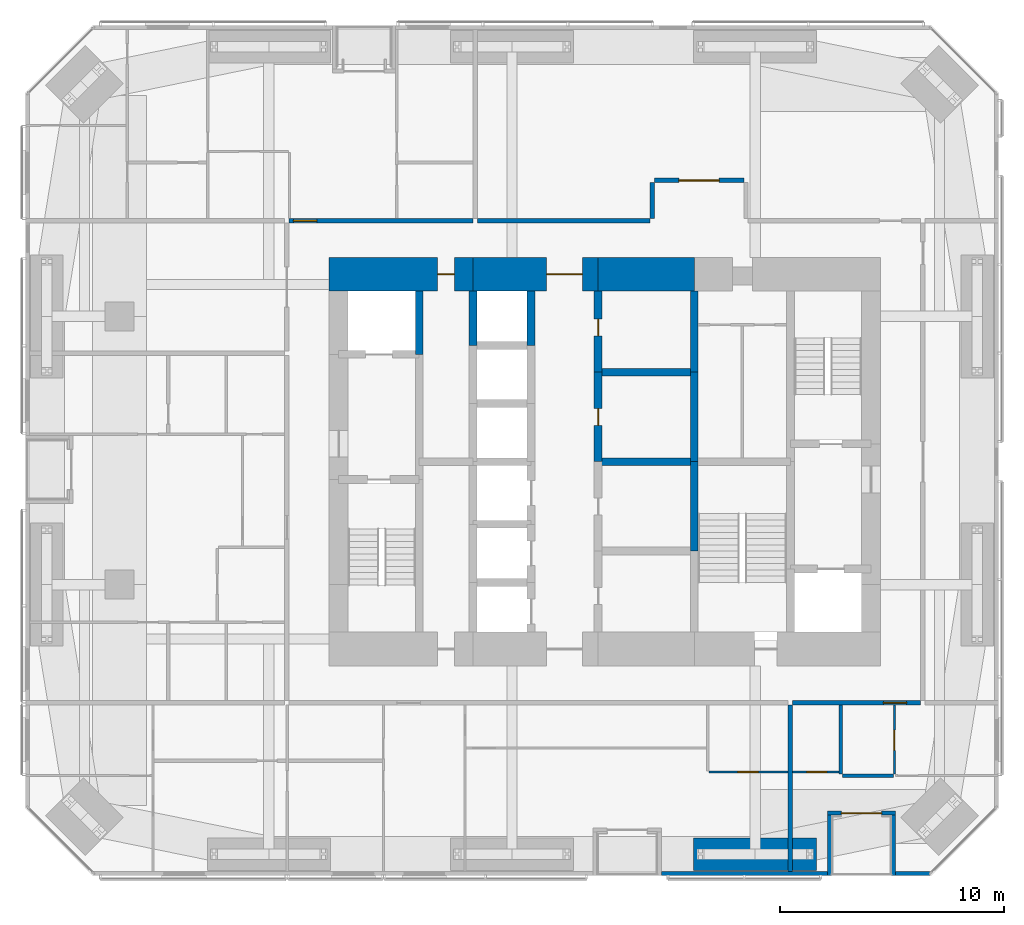
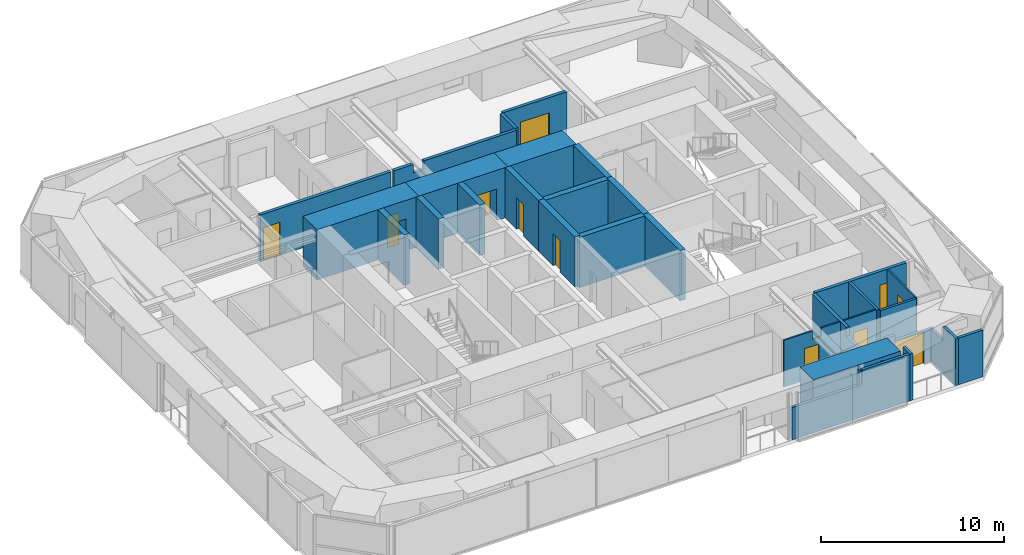
# One storey, part 20 of 24: 31 walls, 11 doors, 11 openings.
"""IFC4 building model written with IfcOpenShell, lengths in metres."""

from ifc_helpers import new_model, si_unit, direction, frame, frame_2d, origin, place, context, subcontext, project, spatial, polyline, rectangle, outline, extrude, material, layer, layer_set, constituent, constituent_set, type_object, element, fill, save


model = new_model("IFC4")

# Units and contexts
model_context = context("Model", 3, precision=1e-05, world=origin(), true_north=direction((0.0, 1.0)))
body_context = subcontext(model_context, "Body", "Model", "MODEL_VIEW")
ifc_project = project(units=[si_unit("LENGTHUNIT", "METRE"), si_unit("AREAUNIT", "SQUARE_METRE"), si_unit("VOLUMEUNIT", "CUBIC_METRE"), si_unit("PLANEANGLEUNIT", "RADIAN"), si_unit("MASSUNIT", "GRAM", prefix="KILO")], contexts=[model_context])

# Site, building, storey
site_placement = place(None, origin())
site = spatial("IfcSite", under=ifc_project, at=site_placement, CompositionType="ELEMENT")
building_placement = place(site_placement, origin())
building = spatial("IfcBuilding", under=site, at=building_placement, Name="Jalousie Tower", CompositionType="ELEMENT")
storey_placement = place(building_placement, frame((0.0, 0.0, 131.64990234375)))
storey = spatial("IfcBuildingStorey", under=building, at=storey_placement, Name="L36", CompositionType="ELEMENT", Elevation=131.64990234375)

# Walls
ifc_material_1 = material(Name="Concrete block ASTM C90", Category="concrete")
ifc_constituent_1 = constituent(ifc_material_1, Name="Body")
ifc_material_2 = material(Name="Render")
ifc_constituent_2 = constituent(ifc_material_2, Name="Finish")
ifc_constituent_set_1 = constituent_set(constituents=[ifc_constituent_1, ifc_constituent_2])
wall_type_1 = type_object("IfcWallType", Name="BATHROOM WALL 150", PredefinedType="PLUMBINGWALL", material=ifc_constituent_set_1)
wall_1_placement = place(storey_placement, frame((42.52490234375, 4.4638671875, 0.0), z_axis=(0.0, 0.0, 1.0), x_axis=(1.0, 0.0, 0.0)))
element("IfcWall", 1, at=wall_1_placement, inside=storey, type_object=wall_type_1, Name="Bathroom Wall 150 L36", PredefinedType="PLUMBINGWALL", context=body_context, shape_type="SweptSolid", body=[
    extrude(rectangle(XDim=2.275146484375, YDim=0.14990234375, at=frame_2d((1.1376953125, 0.0))), origin(), (0.0, 0.0, 1.0), 3.110107421875),
])
wall_2_placement = place(storey_placement, frame((42.449951171875, 4.538818359375, 0.0), z_axis=(0.0, 0.0, 1.0), x_axis=(0.0, 1.0, 0.0)))
element("IfcWall", 2, at=wall_2_placement, inside=storey, type_object=wall_type_1, Name="Bathroom Wall 150 L36", PredefinedType="PLUMBINGWALL", context=body_context, shape_type="SweptSolid", body=[
    extrude(rectangle(XDim=3.086181640625, YDim=0.14990234375, at=frame_2d((1.54296875, 0.0))), origin(), (0.0, 0.0, 1.0), 3.110107421875),
])
ifc_material_3 = material(Name="Concrete f'c 120 MPa", Category="concrete")
ifc_layer_1 = layer(ifc_material_3, 1.5)
ifc_layer_set_1 = layer_set([ifc_layer_1], Name="Concrete f'c 120 MPa")
wall_type_2 = type_object("IfcWallType", Name="CORE WALL 1500", PredefinedType="SHEAR", material=ifc_layer_set_1)
wall_3_placement = place(storey_placement, frame((35.89990234375, 26.875, 0.0), z_axis=(0.0, 0.0, 1.0), x_axis=(-1.0, 0.0, 0.0)))
element("IfcWall", 3, at=wall_3_placement, inside=storey, type_object=wall_type_2, Name="Core wall NB L36", PredefinedType="SHEAR", context=body_context, shape_type="SweptSolid", body=[
    extrude(rectangle(XDim=4.2998046875, YDim=1.5, at=frame_2d((2.14990234375, 0.0))), origin(), (0.0, 0.0, 1.0), 3.35009765625),
])

# Wall, opening, door
wall_4_placement = place(storey_placement, frame((31.60009765625, 26.875, 0.0), z_axis=(0.0, 0.0, 1.0), x_axis=(-1.0, 0.0, 0.0)))
wall_4 = element("IfcWall", 4, at=wall_4_placement, inside=storey, type_object=wall_type_2, Name="Core wall NC L36", PredefinedType="SHEAR", context=body_context, shape_type="SweptSolid", body=[
    extrude(rectangle(XDim=5.60009765625, YDim=1.5, at=frame_2d((2.800048828125, 0.0))), origin(), (0.0, 0.0, 1.0), 3.35009765625),
])
opening_1_placement = place(wall_4_placement, frame((0.699951171875, 0.0, 0.0)))
opening_1 = element("IfcOpeningElement", 5, at=opening_1_placement, cuts=wall_4, Name="Opening D15", PredefinedType="OPENING", context=body_context, shape_type="SweptSolid", body=[
    extrude(rectangle(XDim=1.60009765625, YDim=2.10009765625, at=frame_2d((0.800048828125, 1.050048828125))), frame((0.0, 0.760009765625, 0.0), z_axis=(0.0, -1.0, 0.0), x_axis=(1.0, 0.0, 0.0)), (0.0, 0.0, 1.0), 1.52001953125),
])
ifc_material_4 = material(Name="Steel fire door", Category="steel")
door_type_1 = type_object("IfcDoorType", Name="LIFT LOBBY DOOR 1600", OperationType="DOUBLE_DOOR_SINGLE_SWING", PredefinedType="DOOR", material=ifc_material_4)
door_1_placement = place(opening_1_placement, origin())
door_1 = element("IfcDoor", 6, at=door_1_placement, inside=storey, type_object=door_type_1, Name="Lift lobby north door", OperationType="DOUBLE_DOOR_SINGLE_SWING", OverallHeight=2.10009765625, OverallWidth=1.60009765625, PredefinedType="DOOR", context=body_context, shape_type="SweptSolid", body=[
    extrude(rectangle(XDim=1.60009765625, YDim=2.10009765625, at=frame_2d((0.800048828125, 1.050048828125))), frame((0.0, 0.02490234375, 0.0), z_axis=(0.0, -1.0, 0.0), x_axis=(1.0, 0.0, 0.0)), (0.0, 0.0, 1.0), 0.050048828125),
])
fill(opening_1, door_1)

wall_5_placement = place(storey_placement, frame((26.0, 26.875, 0.0), z_axis=(0.0, 0.0, 1.0), x_axis=(-1.0, 0.0, 0.0)))
wall_5 = element("IfcWall", 7, at=wall_5_placement, inside=storey, type_object=wall_type_2, Name="Core wall ND L36", PredefinedType="SHEAR", context=body_context, shape_type="SweptSolid", body=[
    extrude(rectangle(XDim=6.425048828125, YDim=1.5, at=frame_2d((3.21240234375, 0.0))), origin(), (0.0, 0.0, 1.0), 3.35009765625),
])
opening_2_placement = place(wall_5_placement, frame((0.824951171875, 0.0, 0.0)))
opening_2 = element("IfcOpeningElement", 8, at=opening_2_placement, cuts=wall_5, Name="Opening D16", PredefinedType="OPENING", context=body_context, shape_type="SweptSolid", body=[
    extrude(rectangle(XDim=0.75, YDim=2.10009765625, at=frame_2d((0.375, 1.050048828125))), frame((0.0, 0.760009765625, 0.0), z_axis=(0.0, -1.0, 0.0), x_axis=(1.0, 0.0, 0.0)), (0.0, 0.0, 1.0), 1.52001953125),
])
ifc_material_5 = material(Name="Steel fire door", Category="steel")
door_type_2 = type_object("IfcDoorType", Name="RISER DOOR 750", OperationType="SINGLE_SWING_LEFT", PredefinedType="DOOR", material=ifc_material_5)
door_2_placement = place(opening_2_placement, origin())
door_2 = element("IfcDoor", 9, at=door_2_placement, inside=storey, type_object=door_type_2, Name="North riser door", OperationType="SINGLE_SWING_RIGHT", OverallHeight=2.10009765625, OverallWidth=0.75, PredefinedType="DOOR", context=body_context, shape_type="SweptSolid", body=[
    extrude(rectangle(XDim=0.75, YDim=2.10009765625, at=frame_2d((0.375, 1.050048828125))), frame((0.0, 0.02490234375, 0.0), z_axis=(0.0, -1.0, 0.0), x_axis=(1.0, 0.0, 0.0)), (0.0, 0.0, 1.0), 0.050048828125),
])
fill(opening_2, door_2)

# Walls
ifc_material_6 = material(Name="Concrete f'c 120 MPa", Category="concrete")
ifc_layer_2 = layer(ifc_material_6, 0.35009765625)
ifc_layer_set_2 = layer_set([ifc_layer_2], Name="Concrete f'c 120 MPa")
wall_type_3 = type_object("IfcWallType", Name="CORE WALL 350", PredefinedType="SHEAR", material=ifc_layer_set_2)
wall_6_placement = place(storey_placement, frame((23.60009765625, 23.300048828125, 0.0), z_axis=(0.0, 0.0, 1.0), x_axis=(0.0, 1.0, 0.0)))
element("IfcWall", 10, at=wall_6_placement, inside=storey, type_object=wall_type_3, Name="Core wall X23.6C L36", PredefinedType="SHEAR", context=body_context, shape_type="SweptSolid", body=[
    extrude(rectangle(XDim=2.824951171875, YDim=0.35009765625, at=frame_2d((1.41259765625, 0.0))), origin(), (0.0, 0.0, 1.0), 3.35009765625),
])
for number, where, z_axis, x_axis, name in (
    (11, (26.0, 23.699951171875, 0.0), (0.0, 0.0, 1.0), (0.0, 1.0, 0.0), "Core wall X26F L36"),
    (12, (28.60009765625, 23.699951171875, 0.0), (0.0, 0.0, 1.0), (0.0, 1.0, 0.0), "Core wall X28.6F L36"),
):
    element("IfcWall", number, at=place(storey_placement, frame(where, z_axis=z_axis, x_axis=x_axis)), inside=storey, type_object=wall_type_3, Name=name, PredefinedType="SHEAR", context=body_context, shape_type="SweptSolid", body=[
        extrude(rectangle(XDim=2.425048828125, YDim=0.35009765625, at=frame_2d((1.21240234375, 0.0))), origin(), (0.0, 0.0, 1.0), 3.35009765625),
    ])

# Wall, opening, door
wall_7_placement = place(storey_placement, frame((31.60009765625, 18.5, 0.0), z_axis=(0.0, 0.0, 1.0), x_axis=(0.0, 1.0, 0.0)))
wall_7 = element("IfcWall", 13, at=wall_7_placement, inside=storey, type_object=wall_type_3, Name="Core wall X31.6C L36", PredefinedType="SHEAR", context=body_context, shape_type="SweptSolid", body=[
    extrude(rectangle(XDim=4.0, YDim=0.35009765625, at=frame_2d((2.0, 0.0))), origin(), (0.0, 0.0, 1.0), 3.35009765625),
])
opening_3_placement = place(wall_7_placement, frame((1.625, 0.0, 0.0)))
opening_3 = element("IfcOpeningElement", 14, at=opening_3_placement, cuts=wall_7, Name="Opening D16", PredefinedType="OPENING", context=body_context, shape_type="SweptSolid", body=[
    extrude(rectangle(XDim=0.75, YDim=2.10009765625, at=frame_2d((0.375, 1.050048828125))), frame((0.0, 0.18505859375, 0.0), z_axis=(0.0, -1.0, 0.0), x_axis=(1.0, 0.0, 0.0)), (0.0, 0.0, 1.0), 0.3701171875),
])
door_3_placement = place(opening_3_placement, frame((0.75, 0.0, 0.0), z_axis=(0.0, 0.0, 1.0), x_axis=(-1.0, 0.0, 0.0)))
door_3 = element("IfcDoor", 15, at=door_3_placement, inside=storey, type_object=door_type_2, Name="Telecom Room door", OperationType="SINGLE_SWING_RIGHT", OverallHeight=2.10009765625, OverallWidth=0.75, PredefinedType="DOOR", context=body_context, shape_type="SweptSolid", body=[
    extrude(rectangle(XDim=0.75, YDim=2.10009765625, at=frame_2d((0.375, 1.050048828125))), frame((0.0, 0.02490234375, 0.0), z_axis=(0.0, -1.0, 0.0), x_axis=(1.0, 0.0, 0.0)), (0.0, 0.0, 1.0), 0.050048828125),
])
fill(opening_3, door_3)

wall_8_placement = place(storey_placement, frame((31.60009765625, 22.5, 0.0), z_axis=(0.0, 0.0, 1.0), x_axis=(0.0, 1.0, 0.0)))
wall_8 = element("IfcWall", 16, at=wall_8_placement, inside=storey, type_object=wall_type_3, Name="Core wall X31.6D L36", PredefinedType="SHEAR", context=body_context, shape_type="SweptSolid", body=[
    extrude(rectangle(XDim=3.625, YDim=0.35009765625, at=frame_2d((1.8125, 0.0))), origin(), (0.0, 0.0, 1.0), 3.35009765625),
])
opening_4_placement = place(wall_8_placement, frame((1.625, 0.0, 0.0)))
opening_4 = element("IfcOpeningElement", 17, at=opening_4_placement, cuts=wall_8, Name="Opening D16", PredefinedType="OPENING", context=body_context, shape_type="SweptSolid", body=[
    extrude(rectangle(XDim=0.75, YDim=2.10009765625, at=frame_2d((0.375, 1.050048828125))), frame((0.0, 0.18505859375, 0.0), z_axis=(0.0, -1.0, 0.0), x_axis=(1.0, 0.0, 0.0)), (0.0, 0.0, 1.0), 0.3701171875),
])
door_4_placement = place(opening_4_placement, frame((0.75, 0.0, 0.0), z_axis=(0.0, 0.0, 1.0), x_axis=(-1.0, 0.0, 0.0)))
door_4 = element("IfcDoor", 18, at=door_4_placement, inside=storey, type_object=door_type_2, Name="Water Services Room door", OperationType="SINGLE_SWING_LEFT", OverallHeight=2.10009765625, OverallWidth=0.75, PredefinedType="DOOR", context=body_context, shape_type="SweptSolid", body=[
    extrude(rectangle(XDim=0.75, YDim=2.10009765625, at=frame_2d((0.375, 1.050048828125))), frame((0.0, 0.02490234375, 0.0), z_axis=(0.0, -1.0, 0.0), x_axis=(1.0, 0.0, 0.0)), (0.0, 0.0, 1.0), 0.050048828125),
])
fill(opening_4, door_4)

# Walls
for number, where, z_axis, x_axis, name in (
    (19, (35.89990234375, 14.5, 0.0), (0.0, 0.0, 1.0), (0.0, 1.0, 0.0), "Core wall X35.9B L36"),
    (20, (35.89990234375, 18.5, 0.0), (0.0, 0.0, 1.0), (0.0, 1.0, 0.0), "Core wall X35.9C L36"),
):
    element("IfcWall", number, at=place(storey_placement, frame(where, z_axis=z_axis, x_axis=x_axis)), inside=storey, type_object=wall_type_3, Name=name, PredefinedType="SHEAR", context=body_context, shape_type="SweptSolid", body=[
        extrude(rectangle(XDim=4.0, YDim=0.35009765625, at=frame_2d((2.0, 0.0))), origin(), (0.0, 0.0, 1.0), 3.35009765625),
    ])
wall_9_placement = place(storey_placement, frame((35.89990234375, 22.5, 0.0), z_axis=(0.0, 0.0, 1.0), x_axis=(0.0, 1.0, 0.0)))
element("IfcWall", 21, at=wall_9_placement, inside=storey, type_object=wall_type_3, Name="Core wall X35.9D L36", PredefinedType="SHEAR", context=body_context, shape_type="SweptSolid", body=[
    extrude(rectangle(XDim=3.625, YDim=0.35009765625, at=frame_2d((1.8125, 0.0))), origin(), (0.0, 0.0, 1.0), 3.35009765625),
])
for number, where, z_axis, x_axis, name in (
    (22, (31.60009765625, 18.5, 0.0), (0.0, 0.0, 1.0), (1.0, 0.0, 0.0), "Core wall Y31.6-18.5 L36"),
    (23, (31.60009765625, 22.5, 0.0), (0.0, 0.0, 1.0), (1.0, 0.0, 0.0), "Core wall Y31.6-22.5 L36"),
):
    element("IfcWall", number, at=place(storey_placement, frame(where, z_axis=z_axis, x_axis=x_axis)), inside=storey, type_object=wall_type_3, Name=name, PredefinedType="SHEAR", context=body_context, shape_type="SweptSolid", body=[
        extrude(rectangle(XDim=4.2998046875, YDim=0.35009765625, at=frame_2d((2.14990234375, 0.0))), origin(), (0.0, 0.0, 1.0), 3.35009765625),
    ])

# Wall, opening, door
ifc_material_7 = material(Name="Concrete block ASTM C90", Category="concrete")
ifc_constituent_3 = constituent(ifc_material_7, Name="Body")
ifc_material_8 = material(Name="Render")
ifc_constituent_4 = constituent(ifc_material_8, Name="Finish")
ifc_constituent_set_2 = constituent_set(constituents=[ifc_constituent_3, ifc_constituent_4])
wall_type_4 = type_object("IfcWallType", Name="CORRIDOR WALL 200", PredefinedType="PARTITIONING", material=ifc_constituent_set_2)
wall_10_placement = place(storey_placement, frame((40.300048828125, 7.72509765625, 0.0), z_axis=(0.0, 0.0, 1.0), x_axis=(1.0, 0.0, 0.0)))
wall_10 = element("IfcWall", 24, at=wall_10_placement, inside=storey, type_object=wall_type_4, Name="Corridor Wall 200 L36", PredefinedType="PARTITIONING", context=body_context, shape_type="SweptSolid", body=[
    extrude(rectangle(XDim=5.724853515625, YDim=0.199951171875, at=frame_2d((2.8623046875, 0.0))), origin(), (0.0, 0.0, 1.0), 3.110107421875),
])
opening_5_placement = place(wall_10_placement, frame((4.050048828125, 0.0, 0.0)))
opening_5 = element("IfcOpeningElement", 25, at=opening_5_placement, cuts=wall_10, Name="Opening D1", PredefinedType="OPENING", context=body_context, shape_type="SweptSolid", body=[
    extrude(rectangle(XDim=1.050048828125, YDim=2.199951171875, at=frame_2d((0.52490234375, 1.10009765625))), frame((0.0, 0.10986328125, 0.0), z_axis=(0.0, -1.0, 0.0), x_axis=(1.0, 0.0, 0.0)), (0.0, 0.0, 1.0), 0.219970703125),
])
ifc_material_9 = material(Name="Timber fire door", Category="wood")
door_type_3 = type_object("IfcDoorType", Name="APARTMENT ENTRANCE DOOR 1050", OperationType="SINGLE_SWING_LEFT", PredefinedType="DOOR", material=ifc_material_9)
door_5_placement = place(opening_5_placement, origin())
door_5 = element("IfcDoor", 26, at=door_5_placement, inside=storey, type_object=door_type_3, Name="Apartment 3602 entrance", OperationType="SINGLE_SWING_RIGHT", OverallHeight=2.199951171875, OverallWidth=1.050048828125, PredefinedType="DOOR", context=body_context, shape_type="SweptSolid", body=[
    extrude(rectangle(XDim=1.050048828125, YDim=2.199951171875, at=frame_2d((0.52490234375, 1.10009765625))), frame((0.0, 0.02490234375, 0.0), z_axis=(0.0, -1.0, 0.0), x_axis=(1.0, 0.0, 0.0)), (0.0, 0.0, 1.0), 0.050048828125),
])
fill(opening_5, door_5)

wall_11_placement = place(storey_placement, frame((17.77490234375, 29.27490234375, 0.0), z_axis=(0.0, 0.0, 1.0), x_axis=(1.0, 0.0, 0.0)))
wall_11 = element("IfcWall", 27, at=wall_11_placement, inside=storey, type_object=wall_type_4, Name="Corridor Wall 200 L36", PredefinedType="PARTITIONING", context=body_context, shape_type="SweptSolid", body=[
    extrude(rectangle(XDim=8.22509765625, YDim=0.199951171875, at=frame_2d((4.112548828125, 0.0))), origin(), (0.0, 0.0, 1.0), 3.110107421875),
])
opening_6_placement = place(wall_11_placement, frame((0.199951171875, 0.0, 0.0)))
opening_6 = element("IfcOpeningElement", 28, at=opening_6_placement, cuts=wall_11, Name="Opening D1", PredefinedType="OPENING", context=body_context, shape_type="SweptSolid", body=[
    extrude(rectangle(XDim=1.050048828125, YDim=2.199951171875, at=frame_2d((0.52490234375, 1.10009765625))), frame((0.0, 0.10986328125, 0.0), z_axis=(0.0, -1.0, 0.0), x_axis=(1.0, 0.0, 0.0)), (0.0, 0.0, 1.0), 0.219970703125),
])
door_6_placement = place(opening_6_placement, origin())
door_6 = element("IfcDoor", 29, at=door_6_placement, inside=storey, type_object=door_type_3, Name="Apartment 3603 entrance", OperationType="SINGLE_SWING_LEFT", OverallHeight=2.199951171875, OverallWidth=1.050048828125, PredefinedType="DOOR", context=body_context, shape_type="SweptSolid", body=[
    extrude(rectangle(XDim=1.050048828125, YDim=2.199951171875, at=frame_2d((0.52490234375, 1.10009765625))), frame((0.0, 0.02490234375, 0.0), z_axis=(0.0, -1.0, 0.0), x_axis=(1.0, 0.0, 0.0)), (0.0, 0.0, 1.0), 0.050048828125),
])
fill(opening_6, door_6)

# Wall
wall_12_placement = place(storey_placement, frame((26.199951171875, 29.27490234375, 0.0), z_axis=(0.0, 0.0, 1.0), x_axis=(1.0, 0.0, 0.0)))
element("IfcWall", 30, at=wall_12_placement, inside=storey, type_object=wall_type_4, Name="Corridor Wall 200 L36", PredefinedType="PARTITIONING", context=body_context, shape_type="SweptSolid", body=[
    extrude(outline(polyline([(0.0, 0.0), (7.712646484375, 0.0), (7.71240234375, 3.110107421875), (1.88720703125, 3.110107421875), (1.88720703125, 2.541015625), (1.212646484375, 2.541015625), (1.212646484375, 3.110107421875), (0.0, 3.110107421875), (0.0, 0.0)])), frame((0.0, 0.10009765625, 0.0), z_axis=(0.0, -1.0, 0.0), x_axis=(1.0, 0.0, 0.0)), (0.0, 0.0, 1.0), 0.199951171875),
])

# Wall, opening, door
wall_13_placement = place(storey_placement, frame((34.112548828125, 31.074951171875, 0.0), z_axis=(0.0, 0.0, 1.0), x_axis=(1.0, 0.0, 0.0)))
wall_13 = element("IfcWall", 31, at=wall_13_placement, inside=storey, type_object=wall_type_4, Name="Corridor Wall 200 L36", PredefinedType="PARTITIONING", context=body_context, shape_type="SweptSolid", body=[
    extrude(rectangle(XDim=4.0, YDim=0.199951171875, at=frame_2d((2.0, 0.0))), origin(), (0.0, 0.0, 1.0), 3.110107421875),
])
opening_7_placement = place(wall_13_placement, frame((1.10009765625, 0.0, 0.0)))
opening_7 = element("IfcOpeningElement", 32, at=opening_7_placement, cuts=wall_13, Name="Opening D22", PredefinedType="OPENING", context=body_context, shape_type="SweptSolid", body=[
    extrude(rectangle(XDim=1.800048828125, YDim=2.10009765625, at=frame_2d((0.89990234375, 1.050048828125))), frame((0.0, 0.10986328125, 0.0), z_axis=(0.0, -1.0, 0.0), x_axis=(1.0, 0.0, 0.0)), (0.0, 0.0, 1.0), 0.219970703125),
])
ifc_material_10 = material(Name="Timber fire door", Category="wood")
door_type_4 = type_object("IfcDoorType", Name="CORRIDOR DOUBLE DOOR 1800", OperationType="DOUBLE_DOOR_SINGLE_SWING", PredefinedType="DOOR", material=ifc_material_10)
door_7_placement = place(opening_7_placement, origin())
door_7 = element("IfcDoor", 33, at=door_7_placement, inside=storey, type_object=door_type_4, Name="Residents' bay-view lounge door", OperationType="DOUBLE_DOOR_SINGLE_SWING", OverallHeight=2.10009765625, OverallWidth=1.800048828125, PredefinedType="DOOR", context=body_context, shape_type="SweptSolid", body=[
    extrude(rectangle(XDim=1.800048828125, YDim=2.10009765625, at=frame_2d((0.89990234375, 1.050048828125))), frame((0.0, 0.02490234375, 0.0), z_axis=(0.0, -1.0, 0.0), x_axis=(1.0, 0.0, 0.0)), (0.0, 0.0, 1.0), 0.050048828125),
])
fill(opening_7, door_7)

# Walls
wall_14_placement = place(storey_placement, frame((34.012451171875, 29.375, 0.0), z_axis=(0.0, 0.0, 1.0), x_axis=(0.0, 1.0, 0.0)))
element("IfcWall", 34, at=wall_14_placement, inside=storey, type_object=wall_type_4, Name="Corridor Wall 200 L36", PredefinedType="PARTITIONING", context=body_context, shape_type="SweptSolid", body=[
    extrude(rectangle(XDim=1.60009765625, YDim=0.199951171875, at=frame_2d((0.800048828125, 0.0))), origin(), (0.0, 0.0, 1.0), 3.110107421875),
])
ifc_material_11 = material(Name="Concrete f'c 40 MPa", Category="concrete")
ifc_constituent_5 = constituent(ifc_material_11, Name="Body")
ifc_material_12 = material(Name="Render, pastel sea green")
ifc_constituent_6 = constituent(ifc_material_12, Name="Finish")
ifc_constituent_set_3 = constituent_set(constituents=[ifc_constituent_5, ifc_constituent_6])
wall_type_5 = type_object("IfcWallType", Name="EXTERNAL WALL 175 SEA GREEN RENDER", PredefinedType="SOLIDWALL", material=ifc_constituent_set_3)
wall_15_placement = place(storey_placement, frame((34.425048828125, 0.08740234375, 0.0), z_axis=(0.0, 0.0, 1.0), x_axis=(1.0, 0.0, 0.0)))
element("IfcWall", 35, at=wall_15_placement, inside=storey, type_object=wall_type_5, Name="External Wall 175 Sea Green Render L36", PredefinedType="SOLIDWALL", context=body_context, shape_type="SweptSolid", body=[
    extrude(outline(polyline([(0.0, 0.0), (7.425048828125, 0.0), (7.425048828125, 3.110107421875), (4.4033203125, 3.110107421875), (4.4033203125, 2.150146484375), (4.358154296875, 2.150146484375), (4.358154296875, 3.110107421875), (4.199951171875, 3.110107421875), (4.199951171875, 2.150146484375), (0.0, 2.150146484375), (0.0, 0.0)])), frame((0.0, 0.08740234375, 0.0), z_axis=(0.0, -1.0, 0.0), x_axis=(1.0, 0.0, 0.0)), (0.0, 0.0, 1.0), 0.175048828125),
])
wall_16_placement = place(storey_placement, frame((44.89990234375, 0.08740234375, 0.0), z_axis=(0.0, 0.0, 1.0), x_axis=(1.0, 0.0, 0.0)))
element("IfcWall", 36, at=wall_16_placement, inside=storey, type_object=wall_type_5, Name="External Wall 175 Sea Green Render L36", PredefinedType="SOLIDWALL", context=body_context, shape_type="SweptSolid", body=[
    extrude(rectangle(XDim=1.548828125, YDim=0.175048828125, at=frame_2d((0.7744140625, 0.0))), origin(), (0.0, 0.0, 1.0), 3.110107421875),
])
wall_17_placement = place(storey_placement, frame((41.85009765625, 2.78759765625, 0.0), z_axis=(0.0, 0.0, 1.0), x_axis=(1.0, 0.0, 0.0)))
element("IfcWall", 37, at=wall_17_placement, inside=storey, type_object=wall_type_5, Name="External Wall 175 Sea Green Render L36-A", PredefinedType="SOLIDWALL", context=body_context, shape_type="SweptSolid", body=[
    extrude(rectangle(XDim=0.625, YDim=0.175048828125, at=frame_2d((0.3125, 0.0))), origin(), (0.0, 0.0, 1.0), 2.510009765625),
])

# Wall, opening, door
wall_18_placement = place(storey_placement, frame((42.47509765625, 2.78759765625, 0.0), z_axis=(0.0, 0.0, 1.0), x_axis=(1.0, 0.0, 0.0)))
wall_18 = element("IfcWall", 38, at=wall_18_placement, inside=storey, type_object=wall_type_5, Name="External Wall 175 Sea Green Render L36-B", PredefinedType="SOLIDWALL", context=body_context, shape_type="SweptSolid", body=[
    extrude(rectangle(XDim=2.4248046875, YDim=0.175048828125, at=frame_2d((1.21240234375, 0.0))), origin(), (0.0, 0.0, 1.0), 2.150146484375),
])
opening_8_placement = place(wall_18_placement, origin())
opening_8 = element("IfcOpeningElement", 39, at=opening_8_placement, cuts=wall_18, Name="Opening D-BAL21", PredefinedType="OPENING", context=body_context, shape_type="SweptSolid", body=[
    extrude(rectangle(XDim=1.800048828125, YDim=2.10009765625, at=frame_2d((0.89990234375, 1.050048828125))), frame((0.0, 0.097412109375, 0.0), z_axis=(0.0, -1.0, 0.0), x_axis=(1.0, 0.0, 0.0)), (0.0, 0.0, 1.0), 0.195068359375),
])
ifc_material_13 = material(Name="Aluminium frame, impact-rated glazing", Category="aluminium")
door_type_5 = type_object("IfcDoorType", Name="BALCONY DOOR 1800x2100", OperationType="SLIDING_TO_LEFT", PredefinedType="DOOR", material=ifc_material_13)
door_8_placement = place(opening_8_placement, origin())
door_8 = element("IfcDoor", 40, at=door_8_placement, inside=storey, type_object=door_type_5, Name="Apartment 3602 living and dining room loggia door", OperationType="SLIDING_TO_LEFT", OverallHeight=2.10009765625, OverallWidth=1.800048828125, PredefinedType="DOOR", context=body_context, shape_type="SweptSolid", body=[
    extrude(rectangle(XDim=1.800048828125, YDim=2.10009765625, at=frame_2d((0.89990234375, 1.050048828125))), frame((0.0, 0.02490234375, 0.0), z_axis=(0.0, -1.0, 0.0), x_axis=(1.0, 0.0, 0.0)), (0.0, 0.0, 1.0), 0.050048828125),
])
fill(opening_8, door_8)

# Walls
wall_19_placement = place(storey_placement, frame((41.9375, 0.0, 0.0), z_axis=(0.0, 0.0, 1.0), x_axis=(0.0, 1.0, 0.0)))
element("IfcWall", 41, at=wall_19_placement, inside=storey, type_object=wall_type_5, Name="External Wall 175 Sea Green Render L36", PredefinedType="SOLIDWALL", context=body_context, shape_type="SweptSolid", body=[
    extrude(outline(polyline([(0.0, 0.0), (2.699951171875, 0.0), (2.699951171875, 2.510009765625), (2.4599609375, 2.510009765625), (2.4599609375, 2.150146484375), (0.791259765625, 2.150146484375), (0.791259765625, 3.110107421875), (0.0, 3.110107421875), (0.0, 0.0)])), frame((0.0, 0.08740234375, 0.0), z_axis=(0.0, -1.0, 0.0), x_axis=(1.0, 0.0, 0.0)), (0.0, 0.0, 1.0), 0.175048828125),
])
wall_20_placement = place(storey_placement, frame((44.8125, 0.0, 0.0), z_axis=(0.0, 0.0, 1.0), x_axis=(0.0, 1.0, 0.0)))
element("IfcWall", 42, at=wall_20_placement, inside=storey, type_object=wall_type_5, Name="External Wall 175 Sea Green Render L36", PredefinedType="SOLIDWALL", context=body_context, shape_type="SweptSolid", body=[
    extrude(outline(polyline([(0.0, 0.0), (2.699951171875, 0.0), (2.699951171875, 2.150146484375), (1.377685546875, 2.150146484375), (1.377685546875, 3.110107421875), (0.0, 3.110107421875), (0.0, 0.0)])), frame((0.0, 0.08740234375, 0.0), z_axis=(0.0, -1.0, 0.0), x_axis=(1.0, 0.0, 0.0)), (0.0, 0.0, 1.0), 0.175048828125),
])

# Wall, opening, door
ifc_material_14 = material(Name="Gypsum board", Category="gypsum")
ifc_constituent_7 = constituent(ifc_material_14, Name="Body")
ifc_material_15 = material(Name="Light-gauge steel studs ASTM A653 SS Grade 33", Category="steel")
ifc_constituent_8 = constituent(ifc_material_15, Name="Framing")
ifc_constituent_set_4 = constituent_set(constituents=[ifc_constituent_7, ifc_constituent_8])
wall_type_6 = type_object("IfcWallType", Name="PARTITION 100", PredefinedType="PARTITIONING", material=ifc_constituent_set_4)
wall_21_placement = place(storey_placement, frame((36.550048828125, 4.625, 0.0), z_axis=(0.0, 0.0, 1.0), x_axis=(1.0, 0.0, 0.0)))
wall_21 = element("IfcWall", 43, at=wall_21_placement, inside=storey, type_object=wall_type_6, Name="Partition 100 L36", PredefinedType="PARTITIONING", context=body_context, shape_type="SweptSolid", body=[
    extrude(outline(polyline([(0.0, 0.0), (3.550048828125, 0.0), (3.550048828125, 3.110107421875), (2.3623046875, 3.110107421875), (2.3623046875, 2.541015625), (1.78759765625, 2.541015625), (1.78759765625, 3.110107421875), (0.0, 3.110107421875), (0.0, 0.0)])), frame((0.0, 0.050048828125, 0.0), z_axis=(0.0, -1.0, 0.0), x_axis=(1.0, 0.0, 0.0)), (0.0, 0.0, 1.0), 0.10009765625),
])
opening_9_placement = place(wall_21_placement, frame((1.300048828125, 0.0, 0.0)))
opening_9 = element("IfcOpeningElement", 44, at=opening_9_placement, cuts=wall_21, Name="Opening D7", PredefinedType="OPENING", context=body_context, shape_type="SweptSolid", body=[
    extrude(rectangle(XDim=0.89990234375, YDim=2.10009765625, at=frame_2d((0.449951171875, 1.050048828125))), frame((0.0, 0.06005859375, 0.0), z_axis=(0.0, -1.0, 0.0), x_axis=(1.0, 0.0, 0.0)), (0.0, 0.0, 1.0), 0.1201171875),
])
ifc_material_16 = material(Name="Timber door", Category="wood")
door_type_6 = type_object("IfcDoorType", Name="INTERNAL DOOR 900", OperationType="SINGLE_SWING_LEFT", PredefinedType="DOOR", material=ifc_material_16)
door_9_placement = place(opening_9_placement, frame((0.89990234375, 0.0, 0.0), z_axis=(0.0, 0.0, 1.0), x_axis=(-1.0, 0.0, 0.0)))
door_9 = element("IfcDoor", 45, at=door_9_placement, inside=storey, type_object=door_type_6, Name="Apartment 3601 kitchen door", OperationType="SINGLE_SWING_LEFT", OverallHeight=2.10009765625, OverallWidth=0.89990234375, PredefinedType="DOOR", context=body_context, shape_type="SweptSolid", body=[
    extrude(rectangle(XDim=0.89990234375, YDim=2.10009765625, at=frame_2d((0.449951171875, 1.050048828125))), frame((0.0, 0.02490234375, 0.0), z_axis=(0.0, -1.0, 0.0), x_axis=(1.0, 0.0, 0.0)), (0.0, 0.0, 1.0), 0.050048828125),
])
fill(opening_9, door_9)

wall_22_placement = place(storey_placement, frame((44.85009765625, 4.538818359375, 0.0), z_axis=(0.0, 0.0, 1.0), x_axis=(0.0, 1.0, 0.0)))
wall_22 = element("IfcWall", 46, at=wall_22_placement, inside=storey, type_object=wall_type_6, Name="Partition 100 L36", PredefinedType="PARTITIONING", context=body_context, shape_type="SweptSolid", body=[
    extrude(rectangle(XDim=3.086181640625, YDim=0.10009765625, at=frame_2d((1.54296875, 0.0))), origin(), (0.0, 0.0, 1.0), 3.110107421875),
])
opening_10_placement = place(wall_22_placement, frame((1.0556640625, 0.0, 0.0)))
opening_10 = element("IfcOpeningElement", 47, at=opening_10_placement, cuts=wall_22, Name="Opening D3", PredefinedType="OPENING", context=body_context, shape_type="SweptSolid", body=[
    extrude(rectangle(XDim=0.89990234375, YDim=2.10009765625, at=frame_2d((0.449951171875, 1.050048828125))), frame((0.0, 0.06005859375, 0.0), z_axis=(0.0, -1.0, 0.0), x_axis=(1.0, 0.0, 0.0)), (0.0, 0.0, 1.0), 0.1201171875),
])
ifc_material_17 = material(Name="Timber door", Category="wood")
door_type_7 = type_object("IfcDoorType", Name="BATHROOM DOOR 900", OperationType="SINGLE_SWING_LEFT", PredefinedType="DOOR", material=ifc_material_17)
door_10_placement = place(opening_10_placement, origin())
door_10 = element("IfcDoor", 48, at=door_10_placement, inside=storey, type_object=door_type_7, Name="Apartment 3602 bedroom 1 bathroom door", OperationType="SINGLE_SWING_LEFT", OverallHeight=2.10009765625, OverallWidth=0.89990234375, PredefinedType="DOOR", context=body_context, shape_type="SweptSolid", body=[
    extrude(rectangle(XDim=0.89990234375, YDim=2.10009765625, at=frame_2d((0.449951171875, 1.050048828125))), frame((0.0, 0.02490234375, 0.0), z_axis=(0.0, -1.0, 0.0), x_axis=(1.0, 0.0, 0.0)), (0.0, 0.0, 1.0), 0.050048828125),
])
fill(opening_10, door_10)

wall_23_placement = place(storey_placement, frame((40.300048828125, 4.625, 0.0), z_axis=(0.0, 0.0, 1.0), x_axis=(1.0, 0.0, 0.0)))
wall_23 = element("IfcWall", 49, at=wall_23_placement, inside=storey, type_object=wall_type_6, Name="Partition 100 L36", PredefinedType="PARTITIONING", context=body_context, shape_type="SweptSolid", body=[
    extrude(rectangle(XDim=2.074951171875, YDim=0.10009765625, at=frame_2d((1.03759765625, 0.0))), origin(), (0.0, 0.0, 1.0), 3.110107421875),
])
opening_11_placement = place(wall_23_placement, frame((0.625, 0.0, 0.0)))
opening_11 = element("IfcOpeningElement", 50, at=opening_11_placement, cuts=wall_23, Name="Opening D7", PredefinedType="OPENING", context=body_context, shape_type="SweptSolid", body=[
    extrude(rectangle(XDim=0.89990234375, YDim=2.10009765625, at=frame_2d((0.449951171875, 1.050048828125))), frame((0.0, 0.06005859375, 0.0), z_axis=(0.0, -1.0, 0.0), x_axis=(1.0, 0.0, 0.0)), (0.0, 0.0, 1.0), 0.1201171875),
])
door_11_placement = place(opening_11_placement, frame((0.89990234375, 0.0, 0.0), z_axis=(0.0, 0.0, 1.0), x_axis=(-1.0, 0.0, 0.0)))
door_11 = element("IfcDoor", 51, at=door_11_placement, inside=storey, type_object=door_type_6, Name="Apartment 3602 kitchen door", OperationType="SINGLE_SWING_RIGHT", OverallHeight=2.10009765625, OverallWidth=0.89990234375, PredefinedType="DOOR", context=body_context, shape_type="SweptSolid", body=[
    extrude(rectangle(XDim=0.89990234375, YDim=2.10009765625, at=frame_2d((0.449951171875, 1.050048828125))), frame((0.0, 0.02490234375, 0.0), z_axis=(0.0, -1.0, 0.0), x_axis=(1.0, 0.0, 0.0)), (0.0, 0.0, 1.0), 0.050048828125),
])
fill(opening_11, door_11)

# Walls
ifc_material_18 = material(Name="Concrete block ASTM C90", Category="concrete")
ifc_constituent_9 = constituent(ifc_material_18, Name="Body")
ifc_material_19 = material(Name="Render")
ifc_constituent_10 = constituent(ifc_material_19, Name="Finish")
ifc_constituent_set_5 = constituent_set(constituents=[ifc_constituent_9, ifc_constituent_10])
wall_type_7 = type_object("IfcWallType", Name="PARTY WALL 200", PredefinedType="PARTITIONING", material=ifc_constituent_set_5)
wall_24_placement = place(storey_placement, frame((40.199951171875, 0.175048828125, 0.0), z_axis=(0.0, 0.0, 1.0), x_axis=(0.0, 1.0, 0.0)))
element("IfcWall", 52, at=wall_24_placement, inside=storey, type_object=wall_type_7, Name="Party Wall 200 L36", PredefinedType="PARTITIONING", context=body_context, shape_type="SweptSolid", body=[
    extrude(outline(polyline([(0.16748046875, 3.110107421875), (0.0, 3.110107421875), (0.0, 0.0), (0.52880859375, 0.0), (0.52880859375, 0.427490234375), (1.021240234375, 0.427490234375), (1.021240234375, 0.0), (7.449951171875, 0.0), (7.449951171875, 3.110107421875), (3.766357421875, 3.110107421875), (3.766357421875, 2.510009765625), (2.02490234375, 2.510009765625), (2.02490234375, 2.150146484375), (1.021240234375, 2.150146484375), (1.021240234375, 1.722900390625), (0.52880859375, 1.722900390625), (0.52880859375, 2.150146484375), (0.16748046875, 2.150146484375), (0.16748046875, 3.110107421875)])), frame((0.0, 0.10009765625, 0.0), z_axis=(0.0, -1.0, 0.0), x_axis=(1.0, 0.0, 0.0)), (0.0, 0.0, 1.0), 0.199951171875),
])
ifc_material_20 = material(Name="Concrete f'c 120 MPa", Category="concrete")
ifc_layer_3 = layer(ifc_material_20, 1.449951171875)
ifc_layer_set_3 = layer_set([ifc_layer_3], Name="Concrete f'c 120 MPa")
wall_type_8 = type_object("IfcWallType", Name="RC WALL PIER 1450", PredefinedType="SHEAR", material=ifc_layer_set_3)
wall_25_placement = place(storey_placement, frame((35.875, 0.949951171875, 0.0), z_axis=(0.0, 0.0, 1.0), x_axis=(1.0, 0.0, 0.0)))
element("IfcWall", 53, at=wall_25_placement, inside=storey, type_object=wall_type_8, Name="Wall pier 04 L36", PredefinedType="SHEAR", context=body_context, shape_type="SweptSolid", body=[
    extrude(rectangle(XDim=5.5, YDim=1.449951171875, at=frame_2d((2.75, 0.0))), origin(), (0.0, 0.0, 1.0), 3.35009765625),
])

save(model, "model.ifc")
